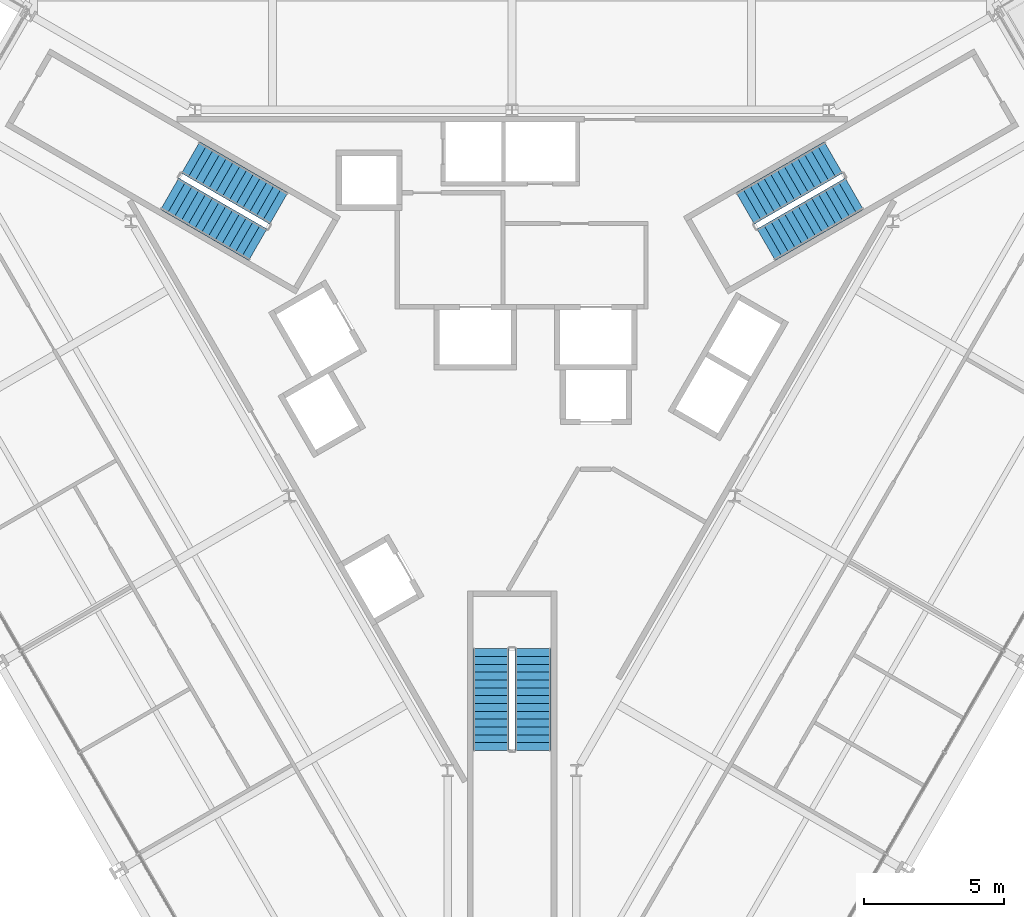
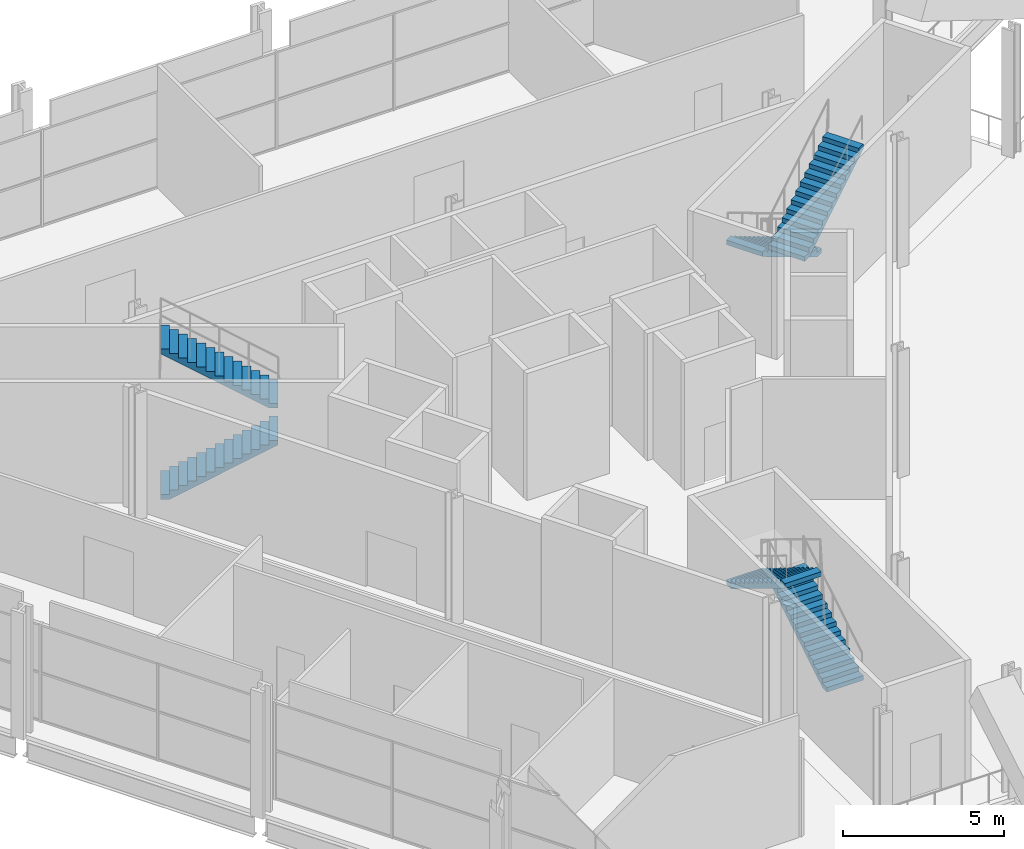
# One storey, part 15 of 18: 6 stair flights, 3 elements without a shape of their own.
"""IFC4 building model written with IfcOpenShell, lengths in metres."""

import ifcopenshell
import ifcopenshell.guid

model = None  # the IFC model being written
_history = None  # IfcOwnerHistory: only IFC2X3 demands one
_inside = {}  # id of a spatial element -> (the spatial element, [elements in it])
_under = {}  # id of a project, library or spatial element -> (it, [spatial elements below it])
_declared = {}  # id of a project -> (the project, [libraries it declares])
_typed = {}  # id of a type object -> (the type object, [elements of that type])
_made_of = {}  # id of a material, layer set ... -> (it, [elements and type objects made of it])


def new_model(schema):
    """Start an empty IFC model of exactly this schema.

    Asked for "IFC4X3", IfcOpenShell would pick the latest addendum, in which some entities
    have other attributes; the version numbers below select the first issue.
    IFC2X3 requires an IfcOwnerHistory on every rooted entity: one is made here for all.
    """
    global model, _history
    if schema == "IFC4X3":
        model = ifcopenshell.file(schema_version=(4, 3, 0, 0))
    else:
        model = ifcopenshell.file(schema=schema)
    _inside.clear()
    _under.clear()
    _declared.clear()
    _typed.clear()
    _made_of.clear()
    _history = None
    if model.schema == "IFC2X3":
        org = make("IfcOrganization", Name="unknown")
        user = make(
            "IfcPersonAndOrganization",
            ThePerson=make("IfcPerson", FamilyName="unknown"),
            TheOrganization=org,
        )
        app = make(
            "IfcApplication",
            ApplicationDeveloper=org,
            Version="unknown",
            ApplicationFullName="unknown",
            ApplicationIdentifier="unknown",
        )
        _history = make(
            "IfcOwnerHistory",
            OwningUser=user,
            OwningApplication=app,
            ChangeAction="ADDED",
            CreationDate=0,
        )
    return model


def make(cls, **values):
    """One entity of the class cls with the attributes given. An attribute that is None is left unset."""
    return model.create_entity(
        cls, **{name: value for name, value in values.items() if value is not None}
    )


def rooted(cls, **values):
    """An entity with a GlobalId (a new one), such as an element, a storey or a relation."""
    return make(cls, GlobalId=ifcopenshell.guid.new(), OwnerHistory=_history, **values)


def si_unit(unit_type, name, prefix=None):
    """IfcSIUnit, for example si_unit("LENGTHUNIT", "METRE", prefix="MILLI")."""
    return make("IfcSIUnit", UnitType=unit_type, Prefix=prefix, Name=name)


def assignment(units):
    """IfcUnitAssignment: the units of a project."""
    return None if units is None else make("IfcUnitAssignment", Units=units)


def point(xyz):
    """IfcCartesianPoint."""
    return None if xyz is None else make("IfcCartesianPoint", Coordinates=xyz)


def direction(xyz):
    """IfcDirection."""
    return None if xyz is None else make("IfcDirection", DirectionRatios=xyz)


def frame(location, z_axis=None, x_axis=None):
    """IfcAxis2Placement3D, a coordinate frame: its origin and axes. An axis left out is left unset."""
    return make(
        "IfcAxis2Placement3D",
        Location=point(location),
        Axis=direction(z_axis),
        RefDirection=direction(x_axis),
    )


def origin():
    """The frame at (0, 0, 0) with its axes left unset."""
    return frame((0.0, 0.0, 0.0))


def place(relative_to, where):
    """IfcLocalPlacement: puts the frame where relative to a parent placement (None: the world)."""
    return make(
        "IfcLocalPlacement", PlacementRelTo=relative_to, RelativePlacement=where
    )


def context(
    kind, dimensions, precision=None, world=None, true_north=None, identifier=None
):
    """IfcGeometricRepresentationContext, for example the 3D "Model" context."""
    return make(
        "IfcGeometricRepresentationContext",
        ContextIdentifier=identifier,
        ContextType=kind,
        CoordinateSpaceDimension=dimensions,
        Precision=precision,
        WorldCoordinateSystem=world,
        TrueNorth=true_north,
    )


def subcontext(parent, identifier, kind, view, scale=None):
    """IfcGeometricRepresentationSubContext, for example "Body" below "Model"."""
    return make(
        "IfcGeometricRepresentationSubContext",
        ContextIdentifier=identifier,
        ContextType=kind,
        ParentContext=parent,
        TargetScale=scale,
        TargetView=view,
    )


def project(units=None, contexts=None):
    """IfcProject with its units and contexts."""
    return rooted(
        "IfcProject",
        Name="project",
        RepresentationContexts=contexts,
        UnitsInContext=assignment(units),
    )


def spatial(cls, under=None, at=None, **own):
    """A site, building, storey or space (cls), placed at a placement, below another one or the project."""
    s = rooted(cls, ObjectPlacement=at, **own)
    if under is not None:
        _under.setdefault(under.id(), (under, []))[1].append(s)
    return s


def polyline(points):
    """IfcPolyline through the points."""
    return make("IfcPolyline", Points=[point(p) for p in points])


def outline(outer, holes=None, kind="AREA"):
    """IfcArbitraryClosedProfileDef: a profile drawn as a closed curve; with holes, ...WithVoids."""
    if holes is None:
        return make("IfcArbitraryClosedProfileDef", ProfileType=kind, OuterCurve=outer)
    return make(
        "IfcArbitraryProfileDefWithVoids",
        ProfileType=kind,
        OuterCurve=outer,
        InnerCurves=holes,
    )


def extrude(swept, where, along, depth):
    """IfcExtrudedAreaSolid: the profile swept, set in the frame where, extruded along a direction by depth."""
    return make(
        "IfcExtrudedAreaSolid",
        SweptArea=swept,
        Position=where,
        ExtrudedDirection=direction(along),
        Depth=depth,
    )


def shape(context_of_items, identifier, shape_type, items):
    """IfcShapeRepresentation: the items that make up one representation, for example the "Body"."""
    return make(
        "IfcShapeRepresentation",
        ContextOfItems=context_of_items,
        RepresentationIdentifier=identifier,
        RepresentationType=shape_type,
        Items=items,
    )


def material(Name=None, Category=None):
    """IfcMaterial."""
    return make("IfcMaterial", Name=Name, Category=Category)


def made_of(thing, what):
    """Note that an element or type object is made of a material, layer set ...; save() writes the relation."""
    if what is not None:
        _made_of.setdefault(what.id(), (what, []))[1].append(thing)
    return thing


def type_object(cls, material=None, **own):
    """A type object (cls), such as IfcWallType, which elements share."""
    return made_of(rooted(cls, **own), material)


def element(
    cls,
    number,
    at=None,
    inside=None,
    cuts=None,
    type_object=None,
    material=None,
    context=None,
    identifier="Body",
    shape_type=None,
    held_by="IfcProductDefinitionShape",
    body=None,
    shapes=None,
    **own,
):
    """One element of the class cls, such as IfcWall. Its Tag is "e" and its number.

    at: its placement. inside: the storey or other place that contains it. cuts: it is an
    opening in that element (IfcRelVoidsElement). A single representation is given by context,
    identifier, shape_type and body (its items); several are given by shapes. held_by: the class
    of the entity that holds the representations. save() writes the other relations.
    """
    e = rooted(cls, Tag="e%d" % number, ObjectPlacement=at, **own)
    if body is not None:
        shapes = [shape(context, identifier, shape_type, body)]
    if shapes is not None:
        e.Representation = make(held_by, Representations=shapes)
    if inside is not None:
        _inside.setdefault(inside.id(), (inside, []))[1].append(e)
    if cuts is not None:
        rooted(
            "IfcRelVoidsElement", RelatingBuildingElement=cuts, RelatedOpeningElement=e
        )
    if type_object is not None:
        _typed.setdefault(type_object.id(), (type_object, []))[1].append(e)
    return made_of(e, material)


def aggregate(whole, parts):
    """IfcRelAggregates: a whole, such as a stair, and the parts it consists of."""
    return rooted("IfcRelAggregates", RelatingObject=whole, RelatedObjects=parts)


def save(model, path):
    """Write the relations noted so far, then the file.

    IfcRelAggregates (storeys below a building ...), IfcRelContainedInSpatialStructure (elements
    in a storey), IfcRelDefinesByType, IfcRelAssociatesMaterial and IfcRelDeclares: one each for
    every whole, place, type object, material and project.
    """
    for whole, parts in _under.values():
        aggregate(whole, parts)
    for where, things in _inside.values():
        rooted(
            "IfcRelContainedInSpatialStructure",
            RelatedElements=things,
            RelatingStructure=where,
        )
    for kind, things in _typed.values():
        rooted("IfcRelDefinesByType", RelatedObjects=things, RelatingType=kind)
    for what, things in _made_of.values():
        rooted("IfcRelAssociatesMaterial", RelatedObjects=things, RelatingMaterial=what)
    for by, libraries in _declared.values():
        rooted("IfcRelDeclares", RelatingContext=by, RelatedDefinitions=libraries)
    model.write(path)


model = new_model("IFC4")

# Units and contexts
model_context = context("Model", 3, precision=1e-05, world=origin(), true_north=direction((0.0, 1.0)))
body_context = subcontext(model_context, "Body", "Model", "MODEL_VIEW")
ifc_project = project(units=[si_unit("LENGTHUNIT", "METRE"), si_unit("AREAUNIT", "SQUARE_METRE"), si_unit("VOLUMEUNIT", "CUBIC_METRE"), si_unit("PLANEANGLEUNIT", "RADIAN"), si_unit("MASSUNIT", "GRAM", prefix="KILO")], contexts=[model_context])

# Site, building, storey
site_placement = place(None, origin())
site = spatial("IfcSite", under=ifc_project, at=site_placement, CompositionType="ELEMENT")
building_placement = place(site_placement, origin())
building = spatial("IfcBuilding", under=site, at=building_placement, Name="Verrane Prism Tower", CompositionType="ELEMENT")
storey_placement = place(building_placement, frame((0.0, 0.0, 27.199951171875)))
storey = spatial("IfcBuildingStorey", under=building, at=storey_placement, Name="L04", CompositionType="ELEMENT", Elevation=27.199951171875)

# Stair, stair flights
ifc_material_1 = material(Name="Concrete C40/50", Category="concrete")
stair_type = type_object("IfcStairType", Name="Exit stair 1300 dog-leg precast concrete C40/50", PredefinedType="HALF_TURN_STAIR", material=ifc_material_1)
stair_1_placement = place(storey_placement, origin())
stair_1 = element("IfcStair", 1, at=stair_1_placement, inside=storey, type_object=stair_type, Name="Stair 1 L04", PredefinedType="HALF_TURN_STAIR")
ifc_material_2 = material(Name="Concrete C40/50", Category="concrete")
stair_flight_type = type_object("IfcStairFlightType", Name="Stair flight 1300 precast concrete C40/50", PredefinedType="STRAIGHT", material=ifc_material_2)
stair_flight_1_placement = place(storey_placement, frame((11.489501953125, 7.49951171875, 0.0), z_axis=(0.0, 0.0, 1.0), x_axis=(-0.866025403784, -0.5, 0.0)))
stair_flight_1 = element("IfcStairFlight", 2, at=stair_flight_1_placement, type_object=stair_flight_type, Name="Stair 1 flight 1", NumberOfRisers=14, NumberOfTreads=13, PredefinedType="STRAIGHT", RiserHeight=0.171428571, TreadLength=0.28, context=body_context, shape_type="SweptSolid", body=[
    extrude(outline(polyline([(0.0, 0.0), (0.0, 0.17138671875), (0.280029296875, 0.17138671875), (0.280029296875, 0.3427734375), (0.56005859375, 0.3427734375), (0.56005859375, 0.514404296875), (0.840087890625, 0.514404296875), (0.840087890625, 0.685791015625), (1.1201171875, 0.685791015625), (1.1201171875, 0.857177734375), (1.39990234375, 0.857177734375), (1.39990234375, 1.028564453125), (1.679931640625, 1.028564453125), (1.679931640625, 1.199951171875), (1.9599609375, 1.199951171875), (1.9599609375, 1.371337890625), (2.239990234375, 1.371337890625), (2.239990234375, 1.54296875), (2.52001953125, 1.54296875), (2.52001953125, 1.71435546875), (2.800048828125, 1.71435546875), (2.800048828125, 1.8857421875), (3.080078125, 1.8857421875), (3.080078125, 2.05712890625), (3.360107421875, 2.05712890625), (3.360107421875, 2.228515625), (3.639892578125, 2.228515625), (3.639892578125, 2.39990234375), (3.639892578125, 2.052734375), (0.287109375, 0.0), (0.0, 0.0)])), frame((0.0, 0.64990234375, 0.0), z_axis=(0.0, -1.0, 0.0), x_axis=(1.0, 0.0, 0.0)), (0.0, 0.0, 1.0), 1.300048828125),
])
stair_flight_2_placement = place(storey_placement, frame((9.087158203125, 4.38037109375, 2.400146484375), z_axis=(0.0, 0.0, 1.0), x_axis=(0.866025403784, 0.5, 0.0)))
stair_flight_2 = element("IfcStairFlight", 3, at=stair_flight_2_placement, type_object=stair_flight_type, Name="Stair 1 flight 2", NumberOfRisers=14, NumberOfTreads=13, PredefinedType="STRAIGHT", RiserHeight=0.171428571, TreadLength=0.28, context=body_context, shape_type="SweptSolid", body=[
    extrude(outline(polyline([(0.0, 0.0), (0.0, 0.17138671875), (0.280029296875, 0.17138671875), (0.280029296875, 0.3427734375), (0.56005859375, 0.3427734375), (0.56005859375, 0.514404296875), (0.840087890625, 0.514404296875), (0.840087890625, 0.685791015625), (1.1201171875, 0.685791015625), (1.1201171875, 0.857177734375), (1.39990234375, 0.857177734375), (1.39990234375, 1.028564453125), (1.679931640625, 1.028564453125), (1.679931640625, 1.199951171875), (1.9599609375, 1.199951171875), (1.9599609375, 1.371337890625), (2.239990234375, 1.371337890625), (2.239990234375, 1.54296875), (2.52001953125, 1.54296875), (2.52001953125, 1.71435546875), (2.800048828125, 1.71435546875), (2.800048828125, 1.8857421875), (3.080078125, 1.8857421875), (3.080078125, 2.05712890625), (3.360107421875, 2.05712890625), (3.360107421875, 2.228515625), (3.639892578125, 2.228515625), (3.639892578125, 2.39990234375), (3.639892578125, 2.052734375), (0.287109375, 0.0), (0.0, 0.0)])), frame((0.0, 0.64990234375, 0.0), z_axis=(0.0, -1.0, 0.0), x_axis=(1.0, 0.0, 0.0)), (0.0, 0.0, 1.0), 1.300048828125),
])
aggregate(stair_1, [stair_flight_1, stair_flight_2])

stair_2_placement = place(storey_placement, origin())
stair_2 = element("IfcStair", 4, at=stair_2_placement, inside=storey, type_object=stair_type, Name="Stair 2 L04", PredefinedType="HALF_TURN_STAIR")
stair_flight_3_placement = place(storey_placement, frame((-12.239501953125, 6.200439453125, 0.0), z_axis=(0.0, 0.0, 1.0), x_axis=(0.866025403784, -0.5, 0.0)))
stair_flight_3 = element("IfcStairFlight", 5, at=stair_flight_3_placement, type_object=stair_flight_type, Name="Stair 2 flight 1", NumberOfRisers=14, NumberOfTreads=13, PredefinedType="STRAIGHT", RiserHeight=0.171428571, TreadLength=0.28, context=body_context, shape_type="SweptSolid", body=[
    extrude(outline(polyline([(0.0, 0.0), (0.0, 0.17138671875), (0.280029296875, 0.17138671875), (0.280029296875, 0.3427734375), (0.56005859375, 0.3427734375), (0.56005859375, 0.514404296875), (0.840087890625, 0.514404296875), (0.840087890625, 0.685791015625), (1.1201171875, 0.685791015625), (1.1201171875, 0.857177734375), (1.39990234375, 0.857177734375), (1.39990234375, 1.028564453125), (1.679931640625, 1.028564453125), (1.679931640625, 1.199951171875), (1.9599609375, 1.199951171875), (1.9599609375, 1.371337890625), (2.239990234375, 1.371337890625), (2.239990234375, 1.54296875), (2.52001953125, 1.54296875), (2.52001953125, 1.71435546875), (2.800048828125, 1.71435546875), (2.800048828125, 1.8857421875), (3.080078125, 1.8857421875), (3.080078125, 2.05712890625), (3.360107421875, 2.05712890625), (3.360107421875, 2.228515625), (3.639892578125, 2.228515625), (3.639892578125, 2.39990234375), (3.639892578125, 2.052734375), (0.287109375, 0.0), (0.0, 0.0)])), frame((0.0, 0.64990234375, 0.0), z_axis=(0.0, -1.0, 0.0), x_axis=(1.0, 0.0, 0.0)), (0.0, 0.0, 1.0), 1.300048828125),
])
stair_flight_4_placement = place(storey_placement, frame((-8.337158203125, 5.679443359375, 2.400146484375), z_axis=(0.0, 0.0, 1.0), x_axis=(-0.866025403784, 0.5, 0.0)))
stair_flight_4 = element("IfcStairFlight", 6, at=stair_flight_4_placement, type_object=stair_flight_type, Name="Stair 2 flight 2", NumberOfRisers=14, NumberOfTreads=13, PredefinedType="STRAIGHT", RiserHeight=0.171428571, TreadLength=0.28, context=body_context, shape_type="SweptSolid", body=[
    extrude(outline(polyline([(0.0, 0.0), (0.0, 0.17138671875), (0.280029296875, 0.17138671875), (0.280029296875, 0.3427734375), (0.56005859375, 0.3427734375), (0.56005859375, 0.514404296875), (0.840087890625, 0.514404296875), (0.840087890625, 0.685791015625), (1.1201171875, 0.685791015625), (1.1201171875, 0.857177734375), (1.39990234375, 0.857177734375), (1.39990234375, 1.028564453125), (1.679931640625, 1.028564453125), (1.679931640625, 1.199951171875), (1.9599609375, 1.199951171875), (1.9599609375, 1.371337890625), (2.239990234375, 1.371337890625), (2.239990234375, 1.54296875), (2.52001953125, 1.54296875), (2.52001953125, 1.71435546875), (2.800048828125, 1.71435546875), (2.800048828125, 1.8857421875), (3.080078125, 1.8857421875), (3.080078125, 2.05712890625), (3.360107421875, 2.05712890625), (3.360107421875, 2.228515625), (3.639892578125, 2.228515625), (3.639892578125, 2.39990234375), (3.639892578125, 2.052734375), (0.287109375, 0.0), (0.0, 0.0)])), frame((0.0, 0.64990234375, 0.0), z_axis=(0.0, -1.0, 0.0), x_axis=(1.0, 0.0, 0.0)), (0.0, 0.0, 1.0), 1.300048828125),
])
aggregate(stair_2, [stair_flight_3, stair_flight_4])

stair_3_placement = place(storey_placement, origin())
stair_3 = element("IfcStair", 7, at=stair_3_placement, inside=storey, type_object=stair_type, Name="Stair 3 L04", PredefinedType="HALF_TURN_STAIR")
stair_flight_5_placement = place(storey_placement, frame((0.75, -13.699951171875, 0.0), z_axis=(0.0, 0.0, 1.0), x_axis=(0.0, 1.0, 0.0)))
stair_flight_5 = element("IfcStairFlight", 8, at=stair_flight_5_placement, type_object=stair_flight_type, Name="Stair 3 flight 1", NumberOfRisers=14, NumberOfTreads=13, PredefinedType="STRAIGHT", RiserHeight=0.171428571, TreadLength=0.28, context=body_context, shape_type="SweptSolid", body=[
    extrude(outline(polyline([(0.0, 0.0), (0.0, 0.17138671875), (0.280029296875, 0.17138671875), (0.280029296875, 0.3427734375), (0.56005859375, 0.3427734375), (0.56005859375, 0.514404296875), (0.840087890625, 0.514404296875), (0.840087890625, 0.685791015625), (1.1201171875, 0.685791015625), (1.1201171875, 0.857177734375), (1.39990234375, 0.857177734375), (1.39990234375, 1.028564453125), (1.679931640625, 1.028564453125), (1.679931640625, 1.199951171875), (1.9599609375, 1.199951171875), (1.9599609375, 1.371337890625), (2.239990234375, 1.371337890625), (2.239990234375, 1.54296875), (2.52001953125, 1.54296875), (2.52001953125, 1.71435546875), (2.800048828125, 1.71435546875), (2.800048828125, 1.8857421875), (3.080078125, 1.8857421875), (3.080078125, 2.05712890625), (3.360107421875, 2.05712890625), (3.360107421875, 2.228515625), (3.639892578125, 2.228515625), (3.639892578125, 2.39990234375), (3.639892578125, 2.052734375), (0.287109375, 0.0), (0.0, 0.0)])), frame((0.0, 0.64990234375, 0.0), z_axis=(0.0, -1.0, 0.0), x_axis=(1.0, 0.0, 0.0)), (0.0, 0.0, 1.0), 1.300048828125),
])
stair_flight_6_placement = place(storey_placement, frame((-0.75, -10.06005859375, 2.400146484375), z_axis=(0.0, 0.0, 1.0), x_axis=(0.0, -1.0, 0.0)))
stair_flight_6 = element("IfcStairFlight", 9, at=stair_flight_6_placement, type_object=stair_flight_type, Name="Stair 3 flight 2", NumberOfRisers=14, NumberOfTreads=13, PredefinedType="STRAIGHT", RiserHeight=0.171428571, TreadLength=0.28, context=body_context, shape_type="SweptSolid", body=[
    extrude(outline(polyline([(0.0, 0.0), (0.0, 0.17138671875), (0.280029296875, 0.17138671875), (0.280029296875, 0.3427734375), (0.56005859375, 0.3427734375), (0.56005859375, 0.514404296875), (0.840087890625, 0.514404296875), (0.840087890625, 0.685791015625), (1.1201171875, 0.685791015625), (1.1201171875, 0.857177734375), (1.39990234375, 0.857177734375), (1.39990234375, 1.028564453125), (1.679931640625, 1.028564453125), (1.679931640625, 1.199951171875), (1.9599609375, 1.199951171875), (1.9599609375, 1.371337890625), (2.239990234375, 1.371337890625), (2.239990234375, 1.54296875), (2.52001953125, 1.54296875), (2.52001953125, 1.71435546875), (2.800048828125, 1.71435546875), (2.800048828125, 1.8857421875), (3.080078125, 1.8857421875), (3.080078125, 2.05712890625), (3.360107421875, 2.05712890625), (3.360107421875, 2.228515625), (3.639892578125, 2.228515625), (3.639892578125, 2.39990234375), (3.639892578125, 2.052734375), (0.287109375, 0.0), (0.0, 0.0)])), frame((0.0, 0.64990234375, 0.0), z_axis=(0.0, -1.0, 0.0), x_axis=(1.0, 0.0, 0.0)), (0.0, 0.0, 1.0), 1.300048828125),
])
aggregate(stair_3, [stair_flight_5, stair_flight_6])

save(model, "model.ifc")
